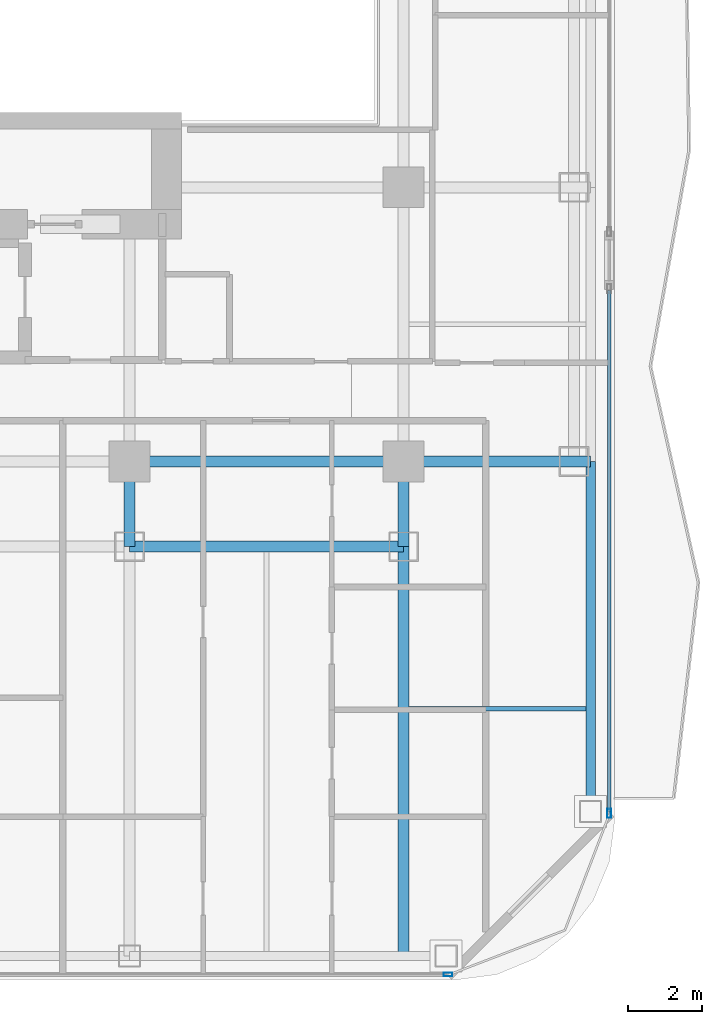
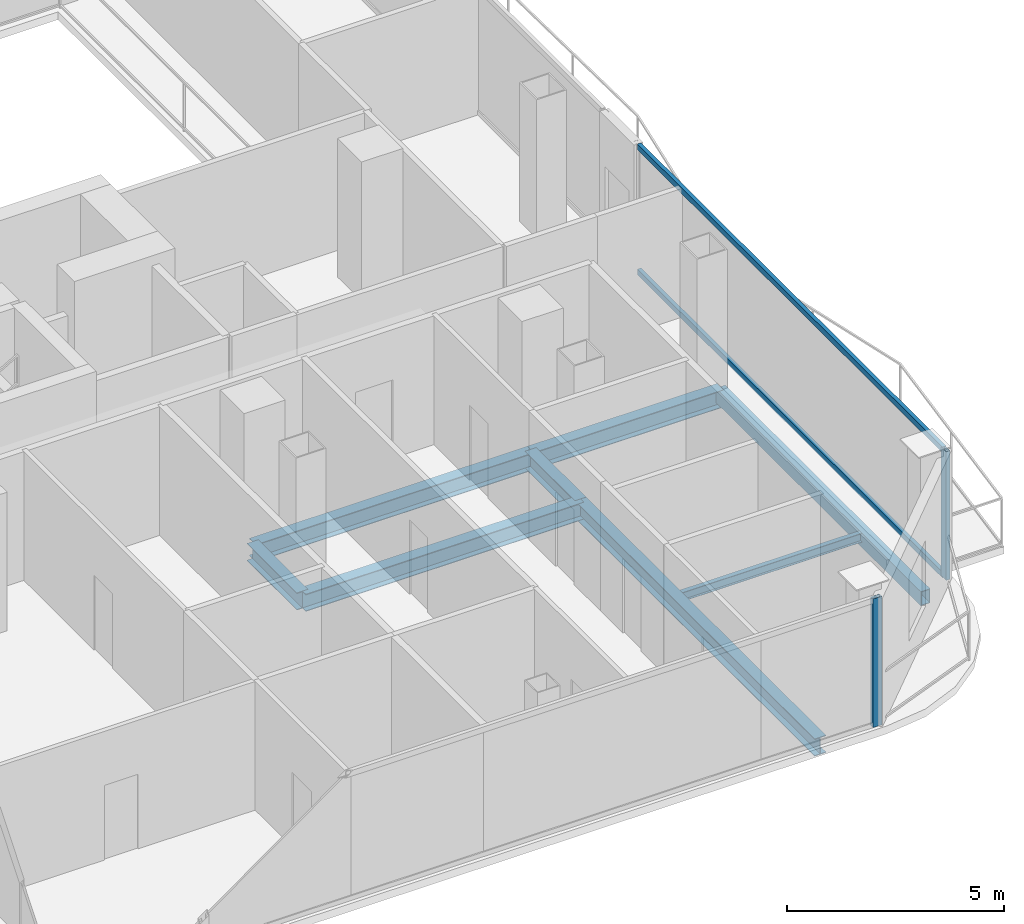
# One storey, part 8 of 24: 8 beams, 4 members, 2 elements without a shape of their own.
"""IFC4 building model written with IfcOpenShell, lengths in metres."""

from ifc_helpers import new_model, si_unit, direction, frame, origin, origin_2d, place, context, subcontext, project, spatial, hollow_rectangle, i_section, extrude, material, layer, layer_set, material_profile, profile_set, type_object, element, aggregate, save


model = new_model("IFC4")

# Units and contexts
model_context = context("Model", 3, precision=1e-05, world=origin(), true_north=direction((0.0, 1.0)))
body_context = subcontext(model_context, "Body", "Model", "MODEL_VIEW")
ifc_project = project(units=[si_unit("LENGTHUNIT", "METRE"), si_unit("AREAUNIT", "SQUARE_METRE"), si_unit("VOLUMEUNIT", "CUBIC_METRE"), si_unit("PLANEANGLEUNIT", "RADIAN"), si_unit("MASSUNIT", "GRAM", prefix="KILO")], contexts=[model_context])

# Site, building, storey
site_placement = place(None, origin())
site = spatial("IfcSite", under=ifc_project, at=site_placement, CompositionType="ELEMENT")
building_placement = place(site_placement, origin())
building = spatial("IfcBuilding", under=site, at=building_placement, Name="Khorvyn Point Tower", CompositionType="ELEMENT")
storey_placement = place(building_placement, frame((0.0, 0.0, 215.699951171875)))
storey = spatial("IfcBuildingStorey", under=building, at=storey_placement, Name="L53", CompositionType="ELEMENT", Elevation=215.699951171875)

# Curtain wall, member
ifc_material_1 = material(Name="Anodised aluminium 6063-T6 and laminated Low-E glass", Category="aluminium")
ifc_layer = layer(ifc_material_1, 0.18994140625)
ifc_layer_set = layer_set([ifc_layer], Name="Stick-Built Acoustic Curtain Wall CW-SYS-03")
curtain_wall_type = type_object("IfcCurtainWallType", Name="Stick-Built Acoustic Curtain Wall CW-SYS-03", PredefinedType="NOTDEFINED", material=ifc_layer_set)
curtain_wall_1_placement = place(storey_placement, origin())
curtain_wall_1 = element("IfcCurtainWall", 1, at=curtain_wall_1_placement, inside=storey, type_object=curtain_wall_type, Name="Curtain Wall", PredefinedType="NOTDEFINED")
ifc_material_2 = material(Name="Anodised aluminium 6063-T6", Category="aluminium")
ifc_material_profile_1 = material_profile(ifc_material_2, hollow_rectangle(XDim=0.10009765625, YDim=0.239990234375, WallThickness=0.0048828125, at=origin_2d()))
ifc_profile_set_1 = profile_set([ifc_material_profile_1], Name="Anodised aluminium 6063-T6 ALU-MUL-100x240")
member_type_1 = type_object("IfcMemberType", Name="Anodised Aluminium 6063-T6 Mullion ALU-MUL-100x240", PredefinedType="MULLION", material=ifc_profile_set_1)
member_1_placement = place(storey_placement, frame((16.0, -28.64990234375, 0.0), z_axis=(0.0, 0.0, 1.0), x_axis=(0.0, -1.0, 0.0)))
member_1 = element("IfcMember", 2, at=member_1_placement, type_object=member_type_1, Name="Transom", PredefinedType="MULLION", context=body_context, shape_type="SweptSolid", body=[
    extrude(hollow_rectangle(XDim=0.10009765625, YDim=0.239990234375, WallThickness=0.0048828125, at=origin_2d()), origin(), (0.0, 0.0, 1.0), 3.6201171875),
])
aggregate(curtain_wall_1, [member_1])

# Curtain wall, members
curtain_wall_2_placement = place(storey_placement, origin())
curtain_wall_2 = element("IfcCurtainWall", 3, at=curtain_wall_2_placement, inside=storey, type_object=curtain_wall_type, Name="Curtain Wall", PredefinedType="NOTDEFINED")
member_2_placement = place(storey_placement, frame((20.35009765625, -24.300048828125, 0.0), z_axis=(0.0, 0.0, 1.0), x_axis=(1.0, 0.0, 0.0)))
member_2 = element("IfcMember", 4, at=member_2_placement, type_object=member_type_1, Name="Transom", PredefinedType="MULLION", context=body_context, shape_type="SweptSolid", body=[
    extrude(hollow_rectangle(XDim=0.10009765625, YDim=0.239990234375, WallThickness=0.0048828125, at=origin_2d()), origin(), (0.0, 0.0, 1.0), 3.6201171875),
])
ifc_material_profile_2 = material_profile(ifc_material_2, hollow_rectangle(XDim=0.10009765625, YDim=0.159912109375, WallThickness=0.00439453125, at=origin_2d()))
ifc_profile_set_2 = profile_set([ifc_material_profile_2], Name="Anodised aluminium 6063-T6 ALU-TRN-100x160")
member_type_2 = type_object("IfcMemberType", Name="Anodised Aluminium 6063-T6 Transom ALU-TRN-100x160", PredefinedType="USERDEFINED", material=ifc_profile_set_2)
member_3_placement = place(storey_placement, frame((20.35009765625, -10.18701171875, 0.050048828125), z_axis=(0.0, -1.0, 0.0), x_axis=(1.0, 0.0, 0.0)))
member_3 = element("IfcMember", 5, at=member_3_placement, type_object=member_type_2, Name="Transom", ObjectType="TRANSOM", PredefinedType="USERDEFINED", context=body_context, shape_type="SweptSolid", body=[
    extrude(hollow_rectangle(XDim=0.10009765625, YDim=0.159912109375, WallThickness=0.00439453125, at=origin_2d()), origin(), (0.0, 0.0, 1.0), 14.06298828125),
])
member_4_placement = place(storey_placement, frame((20.35009765625, -10.18701171875, 3.570068359375), z_axis=(0.0, -1.0, 0.0), x_axis=(1.0, 0.0, 0.0)))
member_4 = element("IfcMember", 6, at=member_4_placement, type_object=member_type_2, Name="Transom", ObjectType="TRANSOM", PredefinedType="USERDEFINED", context=body_context, shape_type="SweptSolid", body=[
    extrude(hollow_rectangle(XDim=0.10009765625, YDim=0.159912109375, WallThickness=0.00439453125, at=origin_2d()), origin(), (0.0, 0.0, 1.0), 14.06298828125),
])
aggregate(curtain_wall_2, [member_2, member_3, member_4])

# Beams
ifc_material_3 = material(Name="Steel S355", Category="steel")
ifc_material_profile_3 = material_profile(ifc_material_3, i_section(OverallWidth=0.125, OverallDepth=0.25, WebThickness=0.006103515625, FlangeThickness=0.009033203125, at=origin_2d()))
ifc_profile_set_3 = profile_set([ifc_material_profile_3], Name="Steel S355 H250x125x6x9")
beam_type_1 = type_object("IfcBeamType", Name="Steel S355 Joist H250x125x6x9", PredefinedType="JOIST", material=ifc_profile_set_3)
beam_1_placement = place(storey_placement, frame((14.949951171875, -21.47509765625, -0.344970703125), z_axis=(1.0, 0.0, 0.0), x_axis=(0.0, 1.0, 0.0)))
element("IfcBeam", 7, at=beam_1_placement, inside=storey, type_object=beam_type_1, Name="Beam", PredefinedType="JOIST", context=body_context, shape_type="SweptSolid", body=[
    extrude(i_section(OverallWidth=0.125, OverallDepth=0.25, WebThickness=0.006103515625, FlangeThickness=0.009033203125, at=origin_2d()), origin(), (0.0, 0.0, 1.0), 4.775146484375),
])
ifc_material_profile_4 = material_profile(ifc_material_3, i_section(OverallWidth=0.300048828125, OverallDepth=0.488037109375, WebThickness=0.010986328125, FlangeThickness=0.01806640625, at=origin_2d()))
ifc_profile_set_4 = profile_set([ifc_material_profile_4], Name="Steel S355 H488x300x11x18")
beam_type_2 = type_object("IfcBeamType", Name="Steel S355 Spandrel H488x300x11x18", PredefinedType="SPANDREL", material=ifc_profile_set_4)
beam_2_placement = place(storey_placement, frame((7.39990234375, -14.800048828125, -0.4638671875), z_axis=(1.0, 0.0, 0.0), x_axis=(0.0, 1.0, 0.0)))
element("IfcBeam", 8, at=beam_2_placement, inside=storey, type_object=beam_type_2, Name="Beam", PredefinedType="SPANDREL", context=body_context, shape_type="SweptSolid", body=[
    extrude(i_section(OverallWidth=0.300048828125, OverallDepth=0.488037109375, WebThickness=0.010986328125, FlangeThickness=0.01806640625, at=origin_2d()), origin(), (0.0, 0.0, 1.0), 7.400146484375),
])
beam_3_placement = place(storey_placement, frame((14.800048828125, -14.800048828125, -0.4638671875), z_axis=(1.0, 0.0, 0.0), x_axis=(0.0, 1.0, 0.0)))
element("IfcBeam", 9, at=beam_3_placement, inside=storey, type_object=beam_type_2, Name="Beam", PredefinedType="SPANDREL", context=body_context, shape_type="SweptSolid", body=[
    extrude(i_section(OverallWidth=0.300048828125, OverallDepth=0.488037109375, WebThickness=0.010986328125, FlangeThickness=0.01806640625, at=origin_2d()), origin(), (0.0, 0.0, 1.0), 5.050048828125),
])
beam_4_placement = place(storey_placement, frame((7.39990234375, -17.10009765625, -0.4638671875), z_axis=(1.0, 0.0, 0.0), x_axis=(0.0, 1.0, 0.0)))
element("IfcBeam", 10, at=beam_4_placement, inside=storey, type_object=beam_type_2, Name="Beam", PredefinedType="SPANDREL", context=body_context, shape_type="SweptSolid", body=[
    extrude(i_section(OverallWidth=0.300048828125, OverallDepth=0.488037109375, WebThickness=0.010986328125, FlangeThickness=0.01806640625, at=origin_2d()), origin(), (0.0, 0.0, 1.0), 7.400146484375),
])
beam_5_placement = place(storey_placement, frame((14.800048828125, -28.14990234375, -0.4638671875), z_axis=(0.0, 1.0, 0.0), x_axis=(-1.0, 0.0, 0.0)))
element("IfcBeam", 11, at=beam_5_placement, inside=storey, type_object=beam_type_2, Name="Beam", PredefinedType="SPANDREL", context=body_context, shape_type="SweptSolid", body=[
    extrude(i_section(OverallWidth=0.300048828125, OverallDepth=0.488037109375, WebThickness=0.010986328125, FlangeThickness=0.01806640625, at=origin_2d()), origin(), (0.0, 0.0, 1.0), 11.0498046875),
])
for number, where, z_axis, x_axis, name in (
    (12, (14.800048828125, -17.10009765625, -0.4638671875), (0.0, 1.0, 0.0), (-1.0, 0.0, 0.0), "Beam"),
    (13, (7.39990234375, -17.10009765625, -0.4638671875), (0.0, 1.0, 0.0), (-1.0, 0.0, 0.0), "Beam"),
):
    element("IfcBeam", number, at=place(storey_placement, frame(where, z_axis=z_axis, x_axis=x_axis)), inside=storey, type_object=beam_type_2, Name=name, PredefinedType="SPANDREL", context=body_context, shape_type="SweptSolid", body=[
        extrude(i_section(OverallWidth=0.300048828125, OverallDepth=0.488037109375, WebThickness=0.010986328125, FlangeThickness=0.01806640625, at=origin_2d()), origin(), (0.0, 0.0, 1.0), 2.300048828125),
    ])
ifc_material_profile_5 = material_profile(ifc_material_3, hollow_rectangle(XDim=0.25, YDim=0.39990234375, WallThickness=0.01611328125, at=origin_2d()))
ifc_profile_set_5 = profile_set([ifc_material_profile_5], Name="Steel S355 RHS400x250x16")
beam_type_3 = type_object("IfcBeamType", Name="Steel S355 Spandrel RHS400x250x16", PredefinedType="SPANDREL", material=ifc_profile_set_5)
beam_6_placement = place(storey_placement, frame((19.85009765625, -24.25, -0.419921875), z_axis=(0.0, 1.0, 0.0), x_axis=(-1.0, 0.0, 0.0)))
element("IfcBeam", 14, at=beam_6_placement, inside=storey, type_object=beam_type_3, Name="Beam", PredefinedType="SPANDREL", context=body_context, shape_type="SweptSolid", body=[
    extrude(hollow_rectangle(XDim=0.25, YDim=0.39990234375, WallThickness=0.01611328125, at=origin_2d()), origin(), (0.0, 0.0, 1.0), 9.449951171875),
])

save(model, "model.ifc")
